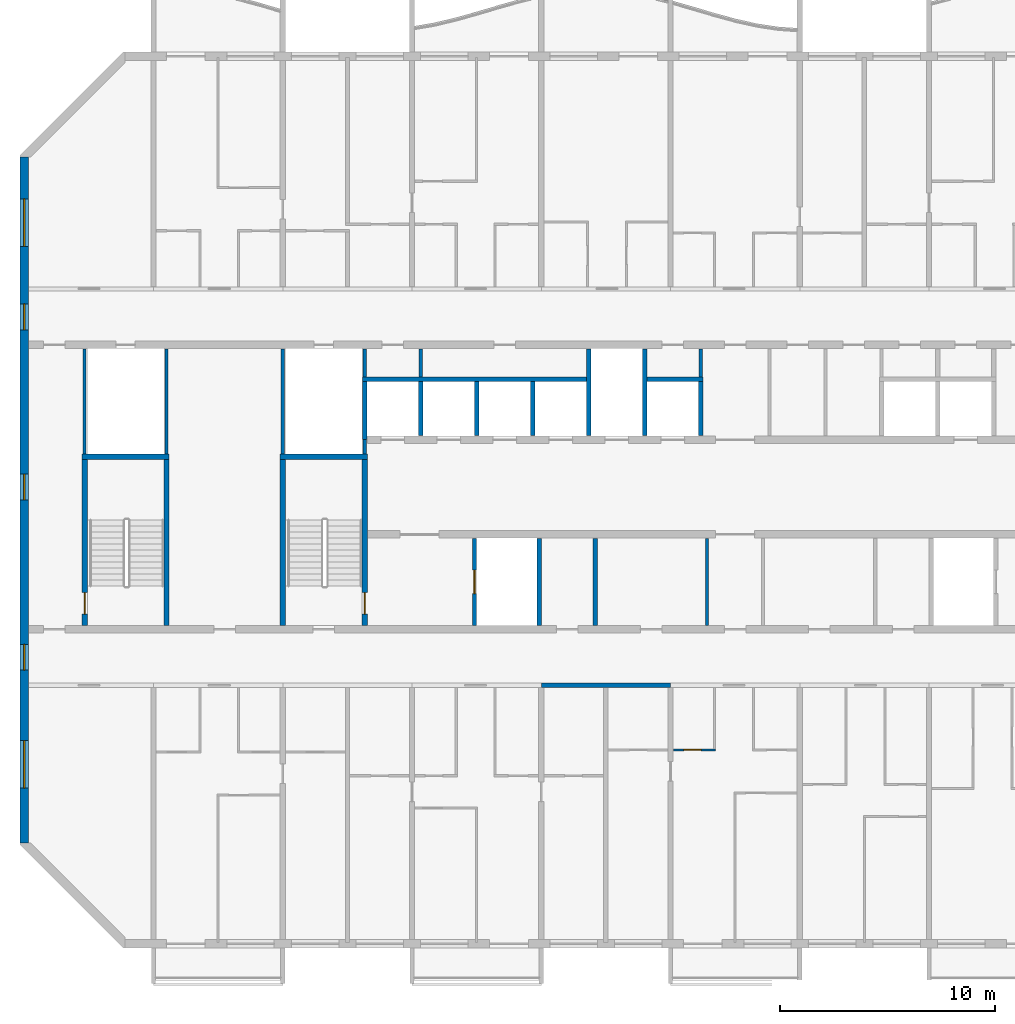
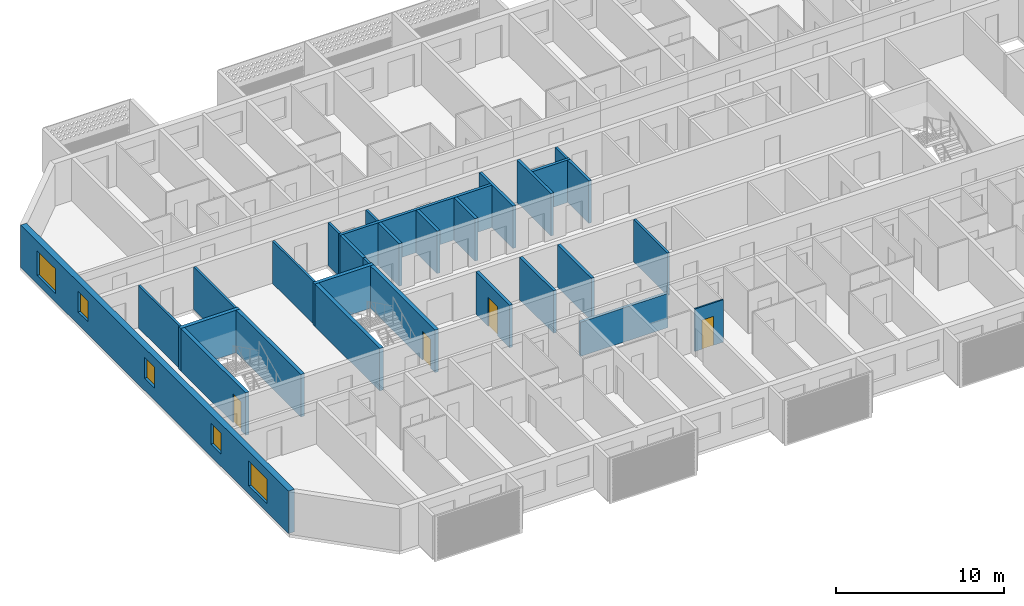
# One storey, part 3 of 29: 29 walls, 5 windows, 4 doors, 9 openings.
"""IFC4 building model written with IfcOpenShell, lengths in metres."""

from ifc_helpers import new_model, si_unit, direction, frame, frame_2d, origin, place, context, subcontext, project, spatial, rectangle, extrude, material, layer, layer_set, type_object, element, fill, save


model = new_model("IFC4")

# Units and contexts
model_context = context("Model", 3, precision=1e-05, world=origin(), true_north=direction((0.0, 1.0)))
body_context = subcontext(model_context, "Body", "Model", "MODEL_VIEW")
ifc_project = project(units=[si_unit("LENGTHUNIT", "METRE"), si_unit("AREAUNIT", "SQUARE_METRE"), si_unit("VOLUMEUNIT", "CUBIC_METRE"), si_unit("PLANEANGLEUNIT", "RADIAN"), si_unit("MASSUNIT", "GRAM", prefix="KILO")], contexts=[model_context])

# Site, building, storey
site_placement = place(None, origin())
site = spatial("IfcSite", under=ifc_project, at=site_placement, CompositionType="ELEMENT")
building_placement = place(site_placement, origin())
building = spatial("IfcBuilding", under=site, at=building_placement, Name="Poui Terraces", CompositionType="ELEMENT")
storey_placement = place(building_placement, frame((0.0, 0.0, 237.89990234375)))
storey = spatial("IfcBuildingStorey", under=building, at=storey_placement, Name="L66", CompositionType="ELEMENT", Elevation=237.89990234375)

# Walls
ifc_material_1 = material(Name="Fire-rated plasterboard wall")
ifc_layer_1 = layer(ifc_material_1, 0.14990234375)
ifc_layer_set_1 = layer_set([ifc_layer_1], Name="Fire-rated plasterboard wall")
wall_type_1 = type_object("IfcWallType", Name="CORRIDOR WALL 150", PredefinedType="PARTITIONING", material=ifc_layer_set_1)
wall_1_placement = place(storey_placement, frame((49.39990234375, 26.300048828125, 0.0), z_axis=(0.0, 0.0, 1.0), x_axis=(0.0, 1.0, 0.0)))
element("IfcWall", 1, at=wall_1_placement, inside=storey, type_object=wall_type_1, Name="CORRIDOR WALL 150", PredefinedType="PARTITIONING", context=body_context, shape_type="SweptSolid", body=[
    extrude(rectangle(XDim=1.31494140625, YDim=0.14990234375, at=frame_2d((0.657470703125, 0.0))), origin(), (0.0, 0.0, 1.0), 3.080078125),
])
wall_2_placement = place(storey_placement, frame((49.699951171875, 14.784912109375, 0.0), z_axis=(0.0, 0.0, 1.0), x_axis=(0.0, 1.0, 0.0)))
element("IfcWall", 2, at=wall_2_placement, inside=storey, type_object=wall_type_1, Name="CORRIDOR WALL 150", PredefinedType="PARTITIONING", context=body_context, shape_type="SweptSolid", body=[
    extrude(rectangle(XDim=4.030029296875, YDim=0.14990234375, at=frame_2d((2.01513671875, 0.0))), origin(), (0.0, 0.0, 1.0), 3.080078125),
])
ifc_material_2 = material(Name="Concrete 50 MPa", Category="concrete")
ifc_layer_2 = layer(ifc_material_2, 0.199951171875)
ifc_layer_set_2 = layer_set([ifc_layer_2], Name="Concrete 50 MPa")
wall_type_2 = type_object("IfcWallType", Name="CORRIDOR WALL 200 50MPa", PredefinedType="SHEAR", material=ifc_layer_set_2)
wall_3_placement = place(storey_placement, frame((42.0, 12.0, 0.0), z_axis=(0.0, 0.0, 1.0), x_axis=(1.0, 0.0, 0.0)))
element("IfcWall", 3, at=wall_3_placement, inside=storey, type_object=wall_type_2, Name="CORRIDOR WALL LINE B BAY 5", PredefinedType="SHEAR", context=body_context, shape_type="SweptSolid", body=[
    extrude(rectangle(XDim=6.0, YDim=0.199951171875, at=frame_2d((3.0, 0.0))), origin(), (0.0, 0.0, 1.0), 2.47998046875),
])

# Wall, openings, windows
ifc_layer_3 = layer(ifc_material_2, 0.39990234375)
ifc_layer_set_3 = layer_set([ifc_layer_3], Name="Concrete 50 MPa")
wall_type_3 = type_object("IfcWallType", Name="END WALL 400 50MPa", PredefinedType="SHEAR", material=ifc_layer_set_3)
wall_4_placement = place(storey_placement, frame((18.0, 4.682861328125, 0.0), z_axis=(0.0, 0.0, 1.0), x_axis=(0.0, 1.0, 0.0)))
wall_4 = element("IfcWall", 4, at=wall_4_placement, inside=storey, type_object=wall_type_3, Name="END WALL WEST", PredefinedType="SHEAR", context=body_context, shape_type="SweptSolid", body=[
    extrude(rectangle(XDim=31.834228515625, YDim=0.39990234375, at=frame_2d((15.9169921875, 0.0))), origin(), (0.0, 0.0, 1.0), 3.080078125),
])
opening_1_placement = place(wall_4_placement, frame((23.817138671875, 0.0, 0.89990234375)))
opening_1 = element("IfcOpeningElement", 5, at=opening_1_placement, cuts=wall_4, Name="Opening W2", PredefinedType="OPENING", context=body_context, shape_type="SweptSolid", body=[
    extrude(rectangle(XDim=1.199951171875, YDim=1.5, at=frame_2d((0.60009765625, 0.75))), frame((0.0, 0.2099609375, 0.0), z_axis=(0.0, -1.0, 0.0), x_axis=(1.0, 0.0, 0.0)), (0.0, 0.0, 1.0), 0.419921875),
])
opening_2_placement = place(wall_4_placement, frame((8.01708984375, 0.0, 0.89990234375)))
opening_2 = element("IfcOpeningElement", 6, at=opening_2_placement, cuts=wall_4, Name="Opening W2", PredefinedType="OPENING", context=body_context, shape_type="SweptSolid", body=[
    extrude(rectangle(XDim=1.199951171875, YDim=1.5, at=frame_2d((0.60009765625, 0.75))), frame((0.0, 0.2099609375, 0.0), z_axis=(0.0, -1.0, 0.0), x_axis=(1.0, 0.0, 0.0)), (0.0, 0.0, 1.0), 0.419921875),
])
opening_3_placement = place(wall_4_placement, frame((27.693603515625, 0.0, 0.60009765625)))
opening_3 = element("IfcOpeningElement", 7, at=opening_3_placement, cuts=wall_4, Name="Opening W3", PredefinedType="OPENING", context=body_context, shape_type="SweptSolid", body=[
    extrude(rectangle(XDim=2.199951171875, YDim=1.800048828125, at=frame_2d((1.10009765625, 0.89990234375))), frame((0.0, 0.2099609375, 0.0), z_axis=(0.0, -1.0, 0.0), x_axis=(1.0, 0.0, 0.0)), (0.0, 0.0, 1.0), 0.419921875),
])
opening_4_placement = place(wall_4_placement, frame((2.541015625, 0.0, 0.60009765625)))
opening_4 = element("IfcOpeningElement", 8, at=opening_4_placement, cuts=wall_4, Name="Opening W3", PredefinedType="OPENING", context=body_context, shape_type="SweptSolid", body=[
    extrude(rectangle(XDim=2.199951171875, YDim=1.800048828125, at=frame_2d((1.10009765625, 0.89990234375))), frame((0.0, 0.2099609375, 0.0), z_axis=(0.0, -1.0, 0.0), x_axis=(1.0, 0.0, 0.0)), (0.0, 0.0, 1.0), 0.419921875),
])
opening_5_placement = place(wall_4_placement, frame((15.917236328125, 0.0, 0.89990234375)))
opening_5 = element("IfcOpeningElement", 9, at=opening_5_placement, cuts=wall_4, Name="Opening W2", PredefinedType="OPENING", context=body_context, shape_type="SweptSolid", body=[
    extrude(rectangle(XDim=1.199951171875, YDim=1.5, at=frame_2d((0.60009765625, 0.75))), frame((0.0, 0.2099609375, 0.0), z_axis=(0.0, -1.0, 0.0), x_axis=(1.0, 0.0, 0.0)), (0.0, 0.0, 1.0), 0.419921875),
])
ifc_material_3 = material(Name="Clear glass in aluminium frame", Category="aluminium")
window_type_1 = type_object("IfcWindowType", Name="WINDOW 1200X1500", PartitioningType="SINGLE_PANEL", PredefinedType="WINDOW", material=ifc_material_3)
window_1_placement = place(opening_1_placement, origin())
window_1 = element("IfcWindow", 10, at=window_1_placement, inside=storey, type_object=window_type_1, Name="W2 WINDOW", OverallHeight=1.5, OverallWidth=1.199951171875, PartitioningType="SINGLE_PANEL", PredefinedType="WINDOW", context=body_context, shape_type="SweptSolid", body=[
    extrude(rectangle(XDim=1.199951171875, YDim=1.5, at=frame_2d((0.60009765625, 0.75))), frame((0.0, 0.030029296875, 0.0), z_axis=(0.0, -1.0, 0.0), x_axis=(1.0, 0.0, 0.0)), (0.0, 0.0, 1.0), 0.06005859375),
])
fill(opening_1, window_1)
window_2_placement = place(opening_2_placement, origin())
window_2 = element("IfcWindow", 11, at=window_2_placement, inside=storey, type_object=window_type_1, Name="W2 WINDOW", OverallHeight=1.5, OverallWidth=1.199951171875, PartitioningType="SINGLE_PANEL", PredefinedType="WINDOW", context=body_context, shape_type="SweptSolid", body=[
    extrude(rectangle(XDim=1.199951171875, YDim=1.5, at=frame_2d((0.60009765625, 0.75))), frame((0.0, 0.030029296875, 0.0), z_axis=(0.0, -1.0, 0.0), x_axis=(1.0, 0.0, 0.0)), (0.0, 0.0, 1.0), 0.06005859375),
])
fill(opening_2, window_2)
window_3_placement = place(opening_5_placement, origin())
window_3 = element("IfcWindow", 12, at=window_3_placement, inside=storey, type_object=window_type_1, Name="W2 WINDOW", OverallHeight=1.5, OverallWidth=1.199951171875, PartitioningType="SINGLE_PANEL", PredefinedType="WINDOW", context=body_context, shape_type="SweptSolid", body=[
    extrude(rectangle(XDim=1.199951171875, YDim=1.5, at=frame_2d((0.60009765625, 0.75))), frame((0.0, 0.030029296875, 0.0), z_axis=(0.0, -1.0, 0.0), x_axis=(1.0, 0.0, 0.0)), (0.0, 0.0, 1.0), 0.06005859375),
])
fill(opening_5, window_3)
window_type_2 = type_object("IfcWindowType", Name="WINDOW 2200X1800", PartitioningType="DOUBLE_PANEL_HORIZONTAL", PredefinedType="WINDOW", material=ifc_material_3)
window_4_placement = place(opening_3_placement, origin())
window_4 = element("IfcWindow", 13, at=window_4_placement, inside=storey, type_object=window_type_2, Name="W3 WINDOW", OverallHeight=1.800048828125, OverallWidth=2.199951171875, PartitioningType="DOUBLE_PANEL_HORIZONTAL", PredefinedType="WINDOW", context=body_context, shape_type="SweptSolid", body=[
    extrude(rectangle(XDim=2.199951171875, YDim=1.800048828125, at=frame_2d((1.10009765625, 0.89990234375))), frame((0.0, 0.030029296875, 0.0), z_axis=(0.0, -1.0, 0.0), x_axis=(1.0, 0.0, 0.0)), (0.0, 0.0, 1.0), 0.06005859375),
])
fill(opening_3, window_4)
window_5_placement = place(opening_4_placement, origin())
window_5 = element("IfcWindow", 14, at=window_5_placement, inside=storey, type_object=window_type_2, Name="W3 WINDOW", OverallHeight=1.800048828125, OverallWidth=2.199951171875, PartitioningType="DOUBLE_PANEL_HORIZONTAL", PredefinedType="WINDOW", context=body_context, shape_type="SweptSolid", body=[
    extrude(rectangle(XDim=2.199951171875, YDim=1.800048828125, at=frame_2d((1.10009765625, 0.89990234375))), frame((0.0, 0.030029296875, 0.0), z_axis=(0.0, -1.0, 0.0), x_axis=(1.0, 0.0, 0.0)), (0.0, 0.0, 1.0), 0.06005859375),
])
fill(opening_4, window_5)

# Wall, opening, door
ifc_material_4 = material(Name="Plasterboard partition")
ifc_layer_4 = layer(ifc_material_4, 0.10009765625)
ifc_layer_set_4 = layer_set([ifc_layer_4], Name="Plasterboard partition")
wall_type_4 = type_object("IfcWallType", Name="FLAT PARTITION 100", PredefinedType="PARTITIONING", material=ifc_layer_set_4)
wall_5_placement = place(storey_placement, frame((48.135009765625, 9.0, 0.0), z_axis=(0.0, 0.0, 1.0), x_axis=(1.0, 0.0, 0.0)))
wall_5 = element("IfcWall", 15, at=wall_5_placement, inside=storey, type_object=wall_type_4, Name="FLAT PARTITION 100", PredefinedType="PARTITIONING", context=body_context, shape_type="SweptSolid", body=[
    extrude(rectangle(XDim=1.965087890625, YDim=0.10009765625, at=frame_2d((0.982421875, 0.0))), origin(), (0.0, 0.0, 1.0), 3.080078125),
])
opening_6_placement = place(wall_5_placement, frame((0.489990234375, 0.0, 0.0)))
opening_6 = element("IfcOpeningElement", 16, at=opening_6_placement, cuts=wall_5, Name="Opening D80", PredefinedType="OPENING", context=body_context, shape_type="SweptSolid", body=[
    extrude(rectangle(XDim=0.800048828125, YDim=2.10009765625, at=frame_2d((0.39990234375, 1.050048828125))), frame((0.0, 0.06005859375, 0.0), z_axis=(0.0, -1.0, 0.0), x_axis=(1.0, 0.0, 0.0)), (0.0, 0.0, 1.0), 0.1201171875),
])
ifc_material_5 = material(Name="Solid core timber door", Category="wood")
door_type_1 = type_object("IfcDoorType", Name="BATHROOM, LAUNDRY AND STORE DOOR 800 X 2100", OperationType="NOTDEFINED", PredefinedType="DOOR", material=ifc_material_5)
door_1_placement = place(opening_6_placement, origin())
door_1 = element("IfcDoor", 17, at=door_1_placement, inside=storey, type_object=door_type_1, Name="BATHROOM, LAUNDRY AND STORE DOOR 080", OperationType="SINGLE_SWING_RIGHT", OverallHeight=2.10009765625, OverallWidth=0.800048828125, PredefinedType="DOOR", context=body_context, shape_type="SweptSolid", body=[
    extrude(rectangle(XDim=0.800048828125, YDim=2.10009765625, at=frame_2d((0.39990234375, 1.050048828125))), frame((0.0, 0.02490234375, 0.0), z_axis=(0.0, -1.0, 0.0), x_axis=(1.0, 0.0, 0.0)), (0.0, 0.0, 1.0), 0.050048828125),
])
fill(opening_6, door_1)

# Walls
ifc_layer_5 = layer(ifc_material_4, 0.14990234375)
ifc_layer_set_5 = layer_set([ifc_layer_5], Name="Plasterboard partition")
wall_type_5 = type_object("IfcWallType", Name="PARTITION WALL 150", PredefinedType="PARTITIONING", material=ifc_layer_set_5)
wall_6_placement = place(storey_placement, frame((36.39990234375, 26.300048828125, 0.0), z_axis=(0.0, 0.0, 1.0), x_axis=(0.0, 1.0, 0.0)))
element("IfcWall", 18, at=wall_6_placement, inside=storey, type_object=wall_type_5, Name="PARTITION WALL 150", PredefinedType="PARTITIONING", context=body_context, shape_type="SweptSolid", body=[
    extrude(rectangle(XDim=1.31494140625, YDim=0.14990234375, at=frame_2d((0.657470703125, 0.0))), origin(), (0.0, 0.0, 1.0), 3.080078125),
])
ifc_material_6 = material(Name="Fire-rated masonry wall", Category="masonry")
ifc_layer_6 = layer(ifc_material_6, 0.199951171875)
ifc_layer_set_6 = layer_set([ifc_layer_6], Name="Fire-rated masonry wall")
wall_type_6 = type_object("IfcWallType", Name="PLANT ROOM WALL 200", PredefinedType="PARTITIONING", material=ifc_layer_set_6)
wall_7_placement = place(storey_placement, frame((44.5, 14.784912109375, 0.0), z_axis=(0.0, 0.0, 1.0), x_axis=(0.0, 1.0, 0.0)))
element("IfcWall", 19, at=wall_7_placement, inside=storey, type_object=wall_type_6, Name="PLANT ROOM WALL 200", PredefinedType="PARTITIONING", context=body_context, shape_type="SweptSolid", body=[
    extrude(rectangle(XDim=4.030029296875, YDim=0.199951171875, at=frame_2d((2.01513671875, 0.0))), origin(), (0.0, 0.0, 1.0), 3.080078125),
])
ifc_material_7 = material(Name="Fire-rated plasterboard riser wall")
ifc_layer_7 = layer(ifc_material_7, 0.14990234375)
ifc_layer_set_7 = layer_set([ifc_layer_7], Name="Fire-rated plasterboard riser wall")
wall_type_7 = type_object("IfcWallType", Name="RISER WALL 150", PredefinedType="PARTITIONING", material=ifc_layer_set_7)
for number, where, z_axis, x_axis, name in (
    (20, (20.800048828125, 22.735107421875, 0.0), (0.0, 0.0, 1.0), (0.0, 1.0, 0.0), "RISER WALL 150"),
    (21, (24.60009765625, 22.735107421875, 0.0), (0.0, 0.0, 1.0), (0.0, 1.0, 0.0), "RISER WALL 150"),
    (22, (30.0, 22.735107421875, 0.0), (0.0, 0.0, 1.0), (0.0, 1.0, 0.0), "RISER WALL 150"),
):
    element("IfcWall", number, at=place(storey_placement, frame(where, z_axis=z_axis, x_axis=x_axis)), inside=storey, type_object=wall_type_7, Name=name, PredefinedType="PARTITIONING", context=body_context, shape_type="SweptSolid", body=[
        extrude(rectangle(XDim=4.8798828125, YDim=0.14990234375, at=frame_2d((2.43994140625, 0.0))), origin(), (0.0, 0.0, 1.0), 3.080078125),
    ])
wall_8_placement = place(storey_placement, frame((33.800048828125, 22.735107421875, 0.0), z_axis=(0.0, 0.0, 1.0), x_axis=(0.0, 1.0, 0.0)))
element("IfcWall", 23, at=wall_8_placement, inside=storey, type_object=wall_type_7, Name="RISER WALL 150", PredefinedType="PARTITIONING", context=body_context, shape_type="SweptSolid", body=[
    extrude(rectangle(XDim=0.664794921875, YDim=0.14990234375, at=frame_2d((0.33251953125, 0.0))), origin(), (0.0, 0.0, 1.0), 3.080078125),
])
wall_9_placement = place(storey_placement, frame((33.800048828125, 26.300048828125, 0.0), z_axis=(0.0, 0.0, 1.0), x_axis=(0.0, 1.0, 0.0)))
element("IfcWall", 24, at=wall_9_placement, inside=storey, type_object=wall_type_7, Name="RISER WALL 150", PredefinedType="PARTITIONING", context=body_context, shape_type="SweptSolid", body=[
    extrude(rectangle(XDim=1.31494140625, YDim=0.14990234375, at=frame_2d((0.657470703125, 0.0))), origin(), (0.0, 0.0, 1.0), 3.080078125),
])
ifc_material_8 = material(Name="Fire-rated masonry shaft wall", Category="masonry")
ifc_layer_8 = layer(ifc_material_8, 0.199951171875)
ifc_layer_set_8 = layer_set([ifc_layer_8], Name="Fire-rated masonry shaft wall")
wall_type_8 = type_object("IfcWallType", Name="SHAFT WALL 200", PredefinedType="PARTITIONING", material=ifc_layer_set_8)
wall_10_placement = place(storey_placement, frame((33.699951171875, 26.199951171875, 0.0), z_axis=(0.0, 0.0, 1.0), x_axis=(1.0, 0.0, 0.0)))
element("IfcWall", 25, at=wall_10_placement, inside=storey, type_object=wall_type_8, Name="SHAFT WALL 200", PredefinedType="PARTITIONING", context=body_context, shape_type="SweptSolid", body=[
    extrude(rectangle(XDim=10.400146484375, YDim=0.199951171875, at=frame_2d((5.2001953125, 0.0))), origin(), (0.0, 0.0, 1.0), 3.080078125),
])
wall_11_placement = place(storey_placement, frame((46.89990234375, 26.199951171875, 0.0), z_axis=(0.0, 0.0, 1.0), x_axis=(1.0, 0.0, 0.0)))
element("IfcWall", 26, at=wall_11_placement, inside=storey, type_object=wall_type_8, Name="SHAFT WALL 200", PredefinedType="PARTITIONING", context=body_context, shape_type="SweptSolid", body=[
    extrude(rectangle(XDim=2.60009765625, YDim=0.199951171875, at=frame_2d((1.300048828125, 0.0))), origin(), (0.0, 0.0, 1.0), 3.080078125),
])
wall_12_placement = place(storey_placement, frame((33.800048828125, 23.39990234375, 0.0), z_axis=(0.0, 0.0, 1.0), x_axis=(0.0, 1.0, 0.0)))
element("IfcWall", 27, at=wall_12_placement, inside=storey, type_object=wall_type_8, Name="SHAFT WALL 200", PredefinedType="PARTITIONING", context=body_context, shape_type="SweptSolid", body=[
    extrude(rectangle(XDim=2.7001953125, YDim=0.199951171875, at=frame_2d((1.35009765625, 0.0))), origin(), (0.0, 0.0, 1.0), 3.080078125),
])
wall_13_placement = place(storey_placement, frame((36.39990234375, 23.5849609375, 0.0), z_axis=(0.0, 0.0, 1.0), x_axis=(0.0, 1.0, 0.0)))
element("IfcWall", 28, at=wall_13_placement, inside=storey, type_object=wall_type_8, Name="SHAFT WALL 200", PredefinedType="PARTITIONING", context=body_context, shape_type="SweptSolid", body=[
    extrude(rectangle(XDim=2.51513671875, YDim=0.199951171875, at=frame_2d((1.257568359375, 0.0))), origin(), (0.0, 0.0, 1.0), 3.080078125),
])

# Wall, opening, door
wall_14_placement = place(storey_placement, frame((38.89990234375, 14.784912109375, 0.0), z_axis=(0.0, 0.0, 1.0), x_axis=(0.0, 1.0, 0.0)))
wall_14 = element("IfcWall", 29, at=wall_14_placement, inside=storey, type_object=wall_type_8, Name="SHAFT WALL 200", PredefinedType="PARTITIONING", context=body_context, shape_type="SweptSolid", body=[
    extrude(rectangle(XDim=4.030029296875, YDim=0.199951171875, at=frame_2d((2.01513671875, 0.0))), origin(), (0.0, 0.0, 1.0), 3.080078125),
])
opening_7_placement = place(wall_14_placement, frame((1.465087890625, 0.0, 0.0)))
opening_7 = element("IfcOpeningElement", 30, at=opening_7_placement, cuts=wall_14, Name="Opening LD", PredefinedType="OPENING", context=body_context, shape_type="SweptSolid", body=[
    extrude(rectangle(XDim=1.10009765625, YDim=2.10009765625, at=frame_2d((0.550048828125, 1.050048828125))), frame((0.0, 0.10986328125, 0.0), z_axis=(0.0, -1.0, 0.0), x_axis=(1.0, 0.0, 0.0)), (0.0, 0.0, 1.0), 0.219970703125),
])
ifc_material_9 = material(Name="Stainless steel sliding door", Category="steel")
door_type_2 = type_object("IfcDoorType", Name="LIFT LANDING DOOR 1100 X 2100", OperationType="DOUBLE_DOOR_SLIDING", PredefinedType="DOOR", material=ifc_material_9)
door_2_placement = place(opening_7_placement, origin())
door_2 = element("IfcDoor", 31, at=door_2_placement, inside=storey, type_object=door_type_2, Name="LANDING DOOR", OperationType="DOUBLE_DOOR_SLIDING", OverallHeight=2.10009765625, OverallWidth=1.10009765625, PredefinedType="DOOR", context=body_context, shape_type="SweptSolid", body=[
    extrude(rectangle(XDim=1.10009765625, YDim=2.10009765625, at=frame_2d((0.550048828125, 1.050048828125))), frame((0.0, 0.02490234375, 0.0), z_axis=(0.0, -1.0, 0.0), x_axis=(1.0, 0.0, 0.0)), (0.0, 0.0, 1.0), 0.050048828125),
])
fill(opening_7, door_2)

# Walls
for number, where, z_axis, x_axis, name in (
    (32, (39.0, 23.5849609375, 0.0), (0.0, 0.0, 1.0), (0.0, 1.0, 0.0), "SHAFT WALL 200"),
    (33, (41.60009765625, 23.5849609375, 0.0), (0.0, 0.0, 1.0), (0.0, 1.0, 0.0), "SHAFT WALL 200"),
):
    element("IfcWall", number, at=place(storey_placement, frame(where, z_axis=z_axis, x_axis=x_axis)), inside=storey, type_object=wall_type_8, Name=name, PredefinedType="PARTITIONING", context=body_context, shape_type="SweptSolid", body=[
        extrude(rectangle(XDim=2.51513671875, YDim=0.199951171875, at=frame_2d((1.257568359375, 0.0))), origin(), (0.0, 0.0, 1.0), 3.080078125),
    ])
for number, where, z_axis, x_axis, name in (
    (34, (41.89990234375, 14.784912109375, 0.0), (0.0, 0.0, 1.0), (0.0, 1.0, 0.0), "SHAFT WALL 200"),
    (35, (44.199951171875, 23.5849609375, 0.0), (0.0, 0.0, 1.0), (0.0, 1.0, 0.0), "SHAFT WALL 200"),
    (36, (46.800048828125, 23.5849609375, 0.0), (0.0, 0.0, 1.0), (0.0, 1.0, 0.0), "SHAFT WALL 200"),
):
    element("IfcWall", number, at=place(storey_placement, frame(where, z_axis=z_axis, x_axis=x_axis)), inside=storey, type_object=wall_type_8, Name=name, PredefinedType="PARTITIONING", context=body_context, shape_type="SweptSolid", body=[
        extrude(rectangle(XDim=4.030029296875, YDim=0.199951171875, at=frame_2d((2.01513671875, 0.0))), origin(), (0.0, 0.0, 1.0), 3.080078125),
    ])
wall_15_placement = place(storey_placement, frame((49.39990234375, 23.5849609375, 0.0), z_axis=(0.0, 0.0, 1.0), x_axis=(0.0, 1.0, 0.0)))
element("IfcWall", 37, at=wall_15_placement, inside=storey, type_object=wall_type_8, Name="SHAFT WALL 200", PredefinedType="PARTITIONING", context=body_context, shape_type="SweptSolid", body=[
    extrude(rectangle(XDim=2.51513671875, YDim=0.199951171875, at=frame_2d((1.257568359375, 0.0))), origin(), (0.0, 0.0, 1.0), 3.080078125),
])
ifc_layer_9 = layer(ifc_material_2, 0.25)
ifc_layer_set_9 = layer_set([ifc_layer_9], Name="Concrete 50 MPa")
wall_type_9 = type_object("IfcWallType", Name="STAIR CORE WALL 250 50 MPA", PredefinedType="SOLIDWALL", material=ifc_layer_set_9)
wall_16_placement = place(storey_placement, frame((30.0, 14.77490234375, 0.0), z_axis=(0.0, 0.0, 1.0), x_axis=(0.0, 1.0, 0.0)))
element("IfcWall", 38, at=wall_16_placement, inside=storey, type_object=wall_type_9, Name="STAIR CORE WALL", PredefinedType="SOLIDWALL", context=body_context, shape_type="SweptSolid", body=[
    extrude(rectangle(XDim=7.7001953125, YDim=0.25, at=frame_2d((3.85009765625, 0.0))), origin(), (0.0, 0.0, 1.0), 3.080078125),
])

# Wall, opening, door
wall_17_placement = place(storey_placement, frame((33.800048828125, 14.77490234375, 0.0), z_axis=(0.0, 0.0, 1.0), x_axis=(0.0, 1.0, 0.0)))
wall_17 = element("IfcWall", 39, at=wall_17_placement, inside=storey, type_object=wall_type_9, Name="STAIR CORE WALL", PredefinedType="SOLIDWALL", context=body_context, shape_type="SweptSolid", body=[
    extrude(rectangle(XDim=7.7001953125, YDim=0.25, at=frame_2d((3.85009765625, 0.0))), origin(), (0.0, 0.0, 1.0), 3.080078125),
])
opening_8_placement = place(wall_17_placement, frame((0.52490234375, 0.0, 0.0)))
opening_8 = element("IfcOpeningElement", 40, at=opening_8_placement, cuts=wall_17, Name="Opening FD60S", PredefinedType="OPENING", context=body_context, shape_type="SweptSolid", body=[
    extrude(rectangle(XDim=1.0, YDim=2.10009765625, at=frame_2d((0.5, 1.050048828125))), frame((0.0, 0.135009765625, 0.0), z_axis=(0.0, -1.0, 0.0), x_axis=(1.0, 0.0, 0.0)), (0.0, 0.0, 1.0), 0.27001953125),
])
ifc_material_10 = material(Name="Steel fire door", Category="steel")
door_type_3 = type_object("IfcDoorType", Name="STAIR DOOR 1000 X 2100", OperationType="NOTDEFINED", PredefinedType="DOOR", material=ifc_material_10)
door_3_placement = place(opening_8_placement, origin())
door_3 = element("IfcDoor", 41, at=door_3_placement, inside=storey, type_object=door_type_3, Name="STAIR DOOR 102", OperationType="SINGLE_SWING_LEFT", OverallHeight=2.10009765625, OverallWidth=1.0, PredefinedType="DOOR", context=body_context, shape_type="SweptSolid", body=[
    extrude(rectangle(XDim=1.0, YDim=2.10009765625, at=frame_2d((0.5, 1.050048828125))), frame((0.0, 0.02490234375, 0.0), z_axis=(0.0, -1.0, 0.0), x_axis=(1.0, 0.0, 0.0)), (0.0, 0.0, 1.0), 0.050048828125),
])
fill(opening_8, door_3)

# Wall
wall_18_placement = place(storey_placement, frame((29.875, 22.60009765625, 0.0), z_axis=(0.0, 0.0, 1.0), x_axis=(1.0, 0.0, 0.0)))
element("IfcWall", 42, at=wall_18_placement, inside=storey, type_object=wall_type_9, Name="STAIR CORE WALL", PredefinedType="SOLIDWALL", context=body_context, shape_type="SweptSolid", body=[
    extrude(rectangle(XDim=4.050048828125, YDim=0.25, at=frame_2d((2.02490234375, 0.0))), origin(), (0.0, 0.0, 1.0), 3.080078125),
])

# Wall, opening, door
wall_19_placement = place(storey_placement, frame((20.800048828125, 14.77490234375, 0.0), z_axis=(0.0, 0.0, 1.0), x_axis=(0.0, 1.0, 0.0)))
wall_19 = element("IfcWall", 43, at=wall_19_placement, inside=storey, type_object=wall_type_9, Name="STAIR CORE WALL", PredefinedType="SOLIDWALL", context=body_context, shape_type="SweptSolid", body=[
    extrude(rectangle(XDim=7.7001953125, YDim=0.25, at=frame_2d((3.85009765625, 0.0))), origin(), (0.0, 0.0, 1.0), 3.080078125),
])
opening_9_placement = place(wall_19_placement, frame((0.52490234375, 0.0, 0.0)))
opening_9 = element("IfcOpeningElement", 44, at=opening_9_placement, cuts=wall_19, Name="Opening FD60S", PredefinedType="OPENING", context=body_context, shape_type="SweptSolid", body=[
    extrude(rectangle(XDim=1.0, YDim=2.10009765625, at=frame_2d((0.5, 1.050048828125))), frame((0.0, 0.135009765625, 0.0), z_axis=(0.0, -1.0, 0.0), x_axis=(1.0, 0.0, 0.0)), (0.0, 0.0, 1.0), 0.27001953125),
])
door_4_placement = place(opening_9_placement, frame((1.0, 0.0, 0.0), z_axis=(0.0, 0.0, 1.0), x_axis=(-1.0, 0.0, 0.0)))
door_4 = element("IfcDoor", 45, at=door_4_placement, inside=storey, type_object=door_type_3, Name="STAIR DOOR 116", OperationType="SINGLE_SWING_RIGHT", OverallHeight=2.10009765625, OverallWidth=1.0, PredefinedType="DOOR", context=body_context, shape_type="SweptSolid", body=[
    extrude(rectangle(XDim=1.0, YDim=2.10009765625, at=frame_2d((0.5, 1.050048828125))), frame((0.0, 0.02490234375, 0.0), z_axis=(0.0, -1.0, 0.0), x_axis=(1.0, 0.0, 0.0)), (0.0, 0.0, 1.0), 0.050048828125),
])
fill(opening_9, door_4)

# Walls
wall_20_placement = place(storey_placement, frame((24.60009765625, 14.77490234375, 0.0), z_axis=(0.0, 0.0, 1.0), x_axis=(0.0, 1.0, 0.0)))
element("IfcWall", 46, at=wall_20_placement, inside=storey, type_object=wall_type_9, Name="STAIR CORE WALL", PredefinedType="SOLIDWALL", context=body_context, shape_type="SweptSolid", body=[
    extrude(rectangle(XDim=7.7001953125, YDim=0.25, at=frame_2d((3.85009765625, 0.0))), origin(), (0.0, 0.0, 1.0), 3.080078125),
])
wall_21_placement = place(storey_placement, frame((20.675048828125, 22.60009765625, 0.0), z_axis=(0.0, 0.0, 1.0), x_axis=(1.0, 0.0, 0.0)))
element("IfcWall", 47, at=wall_21_placement, inside=storey, type_object=wall_type_9, Name="STAIR CORE WALL", PredefinedType="SOLIDWALL", context=body_context, shape_type="SweptSolid", body=[
    extrude(rectangle(XDim=4.050048828125, YDim=0.25, at=frame_2d((2.02490234375, 0.0))), origin(), (0.0, 0.0, 1.0), 3.080078125),
])

save(model, "model.ifc")
